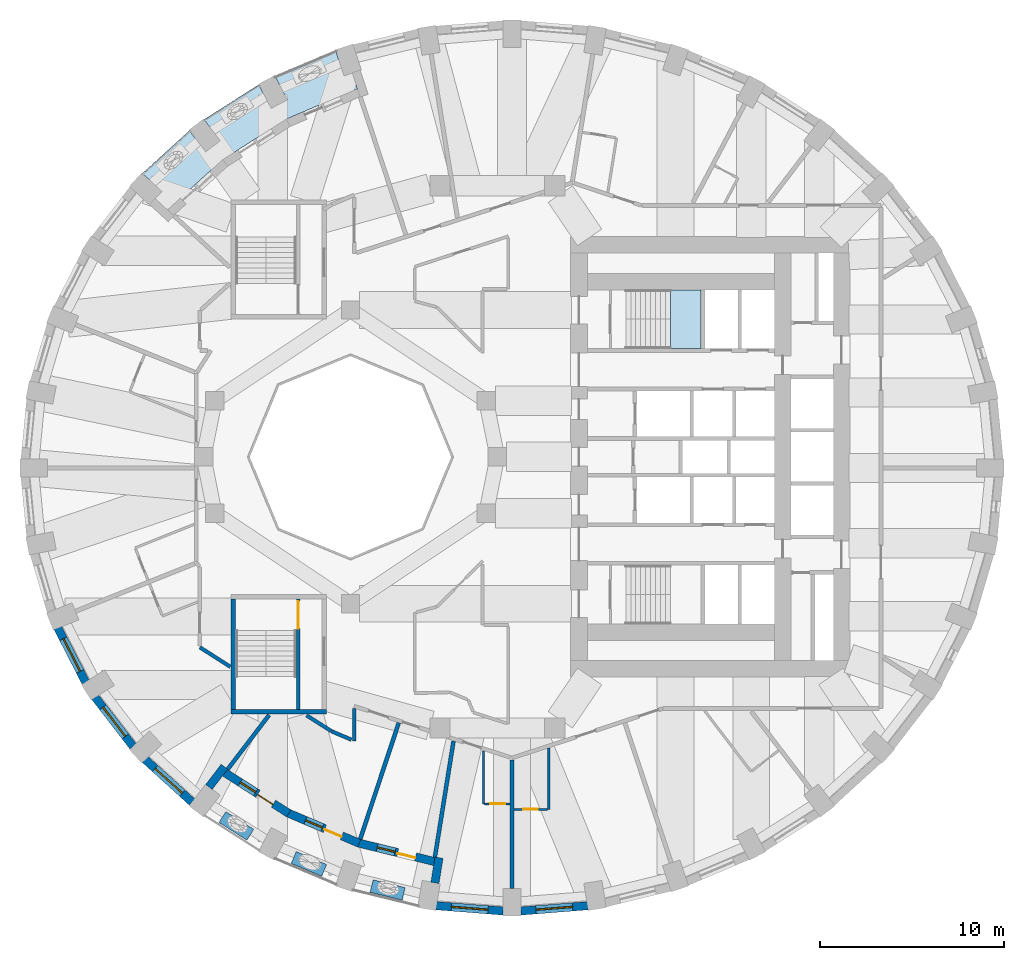
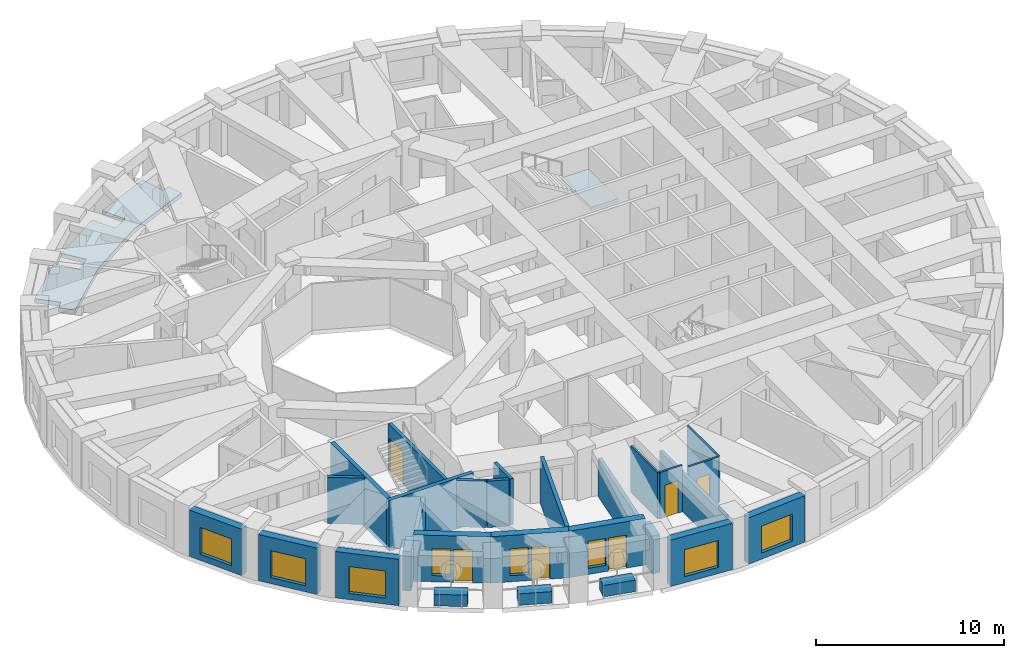
# One storey, part 3 of 12: 28 walls, 8 windows, 6 doors, 2 slabs, 14 openings, 1 element without a shape of its own.
"""IFC4 building model written with IfcOpenShell, lengths in metres."""

from ifc_helpers import new_model, si_unit, direction, frame, frame_2d, origin, place, context, subcontext, project, spatial, polyline, rectangle, outline, extrude, material, layer, layer_set, constituent, constituent_set, type_object, element, fill, aggregate, save


model = new_model("IFC4")

# Units and contexts
model_context = context("Model", 3, precision=1e-05, world=origin(), true_north=direction((0.0, 1.0)))
body_context = subcontext(model_context, "Body", "Model", "MODEL_VIEW")
ifc_project = project(units=[si_unit("LENGTHUNIT", "METRE"), si_unit("AREAUNIT", "SQUARE_METRE"), si_unit("VOLUMEUNIT", "CUBIC_METRE"), si_unit("PLANEANGLEUNIT", "RADIAN"), si_unit("MASSUNIT", "GRAM", prefix="KILO")], contexts=[model_context])

# Site, building, storey
site_placement = place(None, origin())
site = spatial("IfcSite", under=ifc_project, at=site_placement, CompositionType="ELEMENT")
building_placement = place(site_placement, origin())
building = spatial("IfcBuilding", under=site, at=building_placement, Name="Taillehof Tower", CompositionType="ELEMENT")
storey_placement = place(building_placement, frame((0.0, 0.0, 121.89990234375)))
storey = spatial("IfcBuildingStorey", under=building, at=storey_placement, Name="L34", CompositionType="ELEMENT", Elevation=121.89990234375)

# Slab
ifc_material_1 = material(Name="Concrete C40/50", Category="concrete")
ifc_layer_1 = layer(ifc_material_1, 0.280029296875)
ifc_layer_set_1 = layer_set([ifc_layer_1], Name="Balcony slab 280")
slab_type_1 = type_object("IfcSlabType", Name="Balcony slab 280", PredefinedType="USERDEFINED", material=ifc_layer_set_1)
slab_1_placement = place(storey_placement, frame((0.0, 0.0, -0.27978515625)))
element("IfcSlab", 1, at=slab_1_placement, inside=storey, type_object=slab_type_1, Name="Balcony L34 pocket 3", ObjectType="BALCONY", PredefinedType="USERDEFINED", context=body_context, shape_type="SweptSolid", body=[
    extrude(outline(polyline([(-17.965087890625, 13.45751953125), (-18.627685546875, 14.068115234375), (-18.26513671875, 14.46142578125), (-19.3330078125, 15.445556640625), (-16.7724609375, 17.77685546875), (-15.88671875, 16.617431640625), (-15.092041015625, 17.224609375), (-15.974609375, 18.379638671875), (-12.998046875, 20.27734375), (-12.318603515625, 18.985107421875), (-11.433349609375, 19.4501953125), (-12.11083984375, 20.73876953125), (-8.807861328125, 22.14111328125), (-8.348388671875, 20.754638671875), (-7.894287109375, 20.905029296875), (-7.611328125, 20.05029296875), (-11.4833984375, 18.40673828125), (-14.9697265625, 16.184326171875), (-17.965087890625, 13.45751953125)])), origin(), (0.0, 0.0, 1.0), 0.27978515625),
])

# Stair, slab
ifc_material_2 = material(Name="Concrete C40/50", Category="concrete")
stair_type = type_object("IfcStairType", Name="Exit stair half-turn", PredefinedType="HALF_TURN_STAIR", material=ifc_material_2)
stair_placement = place(storey_placement, origin())
stair = element("IfcStair", 2, at=stair_placement, inside=storey, type_object=stair_type, Name="Exit stair S1", PredefinedType="HALF_TURN_STAIR")
ifc_material_3 = material(Name="Concrete C40/50", Category="concrete")
ifc_layer_2 = layer(ifc_material_3, 0.2099609375)
ifc_layer_set_2 = layer_set([ifc_layer_2], Name="Stair landing C40/50 210")
slab_type_2 = type_object("IfcSlabType", Name="Stair landing C40/50 210", PredefinedType="LANDING", material=ifc_layer_set_2)
slab_2_placement = place(storey_placement, frame((0.0, 0.0, 1.440185546875)))
slab_2 = element("IfcSlab", 3, at=slab_2_placement, type_object=slab_type_2, Name="S1 landing 1", PredefinedType="LANDING", context=body_context, shape_type="SweptSolid", body=[
    extrude(outline(polyline([(9.429931640625, 5.89990234375), (11.10009765625, 5.89990234375), (11.10009765625, 9.10009765625), (9.429931640625, 9.10009765625), (9.429931640625, 5.89990234375)])), origin(), (0.0, 0.0, 1.0), 0.2099609375),
])
aggregate(stair, [slab_2])

# Wall, opening, window
ifc_material_4 = material(Name="Brick masonry", Category="masonry")
ifc_layer_3 = layer(ifc_material_4, 0.449951171875)
ifc_layer_set_3 = layer_set([ifc_layer_3], Name="Brick infill wall 450")
wall_type_1 = type_object("IfcWallType", Name="Brick infill wall 450", PredefinedType="SOLIDWALL", material=ifc_layer_set_3)
wall_1_placement = place(storey_placement, frame((-23.9453125, -9.312255859375, 0.0), z_axis=(0.0, 0.0, 1.0), x_axis=(0.456828186229, -0.889554949549, 0.0)))
wall_1 = element("IfcWall", 4, at=wall_1_placement, inside=storey, type_object=wall_type_1, Name="Brick wall L34 bay 21", PredefinedType="SOLIDWALL", context=body_context, shape_type="SweptSolid", body=[
    extrude(rectangle(XDim=3.332763671875, YDim=0.449951171875, at=frame_2d((1.66650390625, 0.0))), origin(), (0.0, 0.0, 1.0), 3.02001953125),
])
opening_1_placement = place(wall_1_placement, frame((0.666259765625, 0.0, 0.39990234375)))
opening_1 = element("IfcOpeningElement", 5, at=opening_1_placement, cuts=wall_1, Name="Opening W2", PredefinedType="OPENING", context=body_context, shape_type="SweptSolid", body=[
    extrude(rectangle(XDim=2.0, YDim=1.75, at=frame_2d((1.0, 0.875))), frame((0.0, 0.23486328125, 0.0), z_axis=(0.0, -1.0, 0.0), x_axis=(1.0, 0.0, 0.0)), (0.0, 0.0, 1.0), 0.469970703125),
])
ifc_material_5 = material(Name="Aluminium window frame with clear double glazing", Category="aluminium")
window_type_1 = type_object("IfcWindowType", Name="Deep-set window 2000x1750", PartitioningType="SINGLE_PANEL", PredefinedType="WINDOW", material=ifc_material_5)
window_1_placement = place(opening_1_placement, origin())
window_1 = element("IfcWindow", 6, at=window_1_placement, inside=storey, type_object=window_type_1, Name="W2", OverallHeight=1.75, OverallWidth=2.0, PartitioningType="SINGLE_PANEL", PredefinedType="WINDOW", context=body_context, shape_type="SweptSolid", body=[
    extrude(rectangle(XDim=2.0, YDim=1.75, at=frame_2d((1.0, 0.875))), frame((0.0, 0.034912109375, 0.0), z_axis=(0.0, -1.0, 0.0), x_axis=(1.0, 0.0, 0.0)), (0.0, 0.0, 1.0), 0.06005859375),
])
fill(opening_1, window_1)

wall_2_placement = place(storey_placement, frame((-21.908203125, -13.08740234375, 0.0), z_axis=(0.0, 0.0, 1.0), x_axis=(0.610693945156, -0.791866721961, 0.0)))
wall_2 = element("IfcWall", 7, at=wall_2_placement, inside=storey, type_object=wall_type_1, Name="Brick wall L34 bay 22", PredefinedType="SOLIDWALL", context=body_context, shape_type="SweptSolid", body=[
    extrude(rectangle(XDim=3.39453125, YDim=0.449951171875, at=frame_2d((1.697265625, 0.0))), origin(), (0.0, 0.0, 1.0), 3.02001953125),
])
opening_2_placement = place(wall_2_placement, frame((0.697265625, 0.0, 0.39990234375)))
opening_2 = element("IfcOpeningElement", 8, at=opening_2_placement, cuts=wall_2, Name="Opening W2", PredefinedType="OPENING", context=body_context, shape_type="SweptSolid", body=[
    extrude(rectangle(XDim=2.0, YDim=1.75, at=frame_2d((1.0, 0.875))), frame((0.0, 0.23486328125, 0.0), z_axis=(0.0, -1.0, 0.0), x_axis=(1.0, 0.0, 0.0)), (0.0, 0.0, 1.0), 0.469970703125),
])
window_2_placement = place(opening_2_placement, origin())
window_2 = element("IfcWindow", 9, at=window_2_placement, inside=storey, type_object=window_type_1, Name="W2", OverallHeight=1.75, OverallWidth=2.0, PartitioningType="SINGLE_PANEL", PredefinedType="WINDOW", context=body_context, shape_type="SweptSolid", body=[
    extrude(rectangle(XDim=2.0, YDim=1.75, at=frame_2d((1.0, 0.875))), frame((0.0, 0.034912109375, 0.0), z_axis=(0.0, -1.0, 0.0), x_axis=(1.0, 0.0, 0.0)), (0.0, 0.0, 1.0), 0.06005859375),
])
fill(opening_2, window_2)

wall_3_placement = place(storey_placement, frame((-19.18408203125, -16.481201171875, 0.0), z_axis=(0.0, 0.0, 1.0), x_axis=(0.740364106106, -0.672206062446, 0.0)))
wall_3 = element("IfcWall", 10, at=wall_3_placement, inside=storey, type_object=wall_type_1, Name="Brick wall L34 bay 23", PredefinedType="SOLIDWALL", context=body_context, shape_type="SweptSolid", body=[
    extrude(rectangle(XDim=3.4638671875, YDim=0.449951171875, at=frame_2d((1.73193359375, 0.0))), origin(), (0.0, 0.0, 1.0), 3.02001953125),
])
opening_3_placement = place(wall_3_placement, frame((0.73193359375, 0.0, 0.39990234375)))
opening_3 = element("IfcOpeningElement", 11, at=opening_3_placement, cuts=wall_3, Name="Opening W2", PredefinedType="OPENING", context=body_context, shape_type="SweptSolid", body=[
    extrude(rectangle(XDim=2.0, YDim=1.75, at=frame_2d((1.0, 0.875))), frame((0.0, 0.23486328125, 0.0), z_axis=(0.0, -1.0, 0.0), x_axis=(1.0, 0.0, 0.0)), (0.0, 0.0, 1.0), 0.469970703125),
])
window_3_placement = place(opening_3_placement, origin())
window_3 = element("IfcWindow", 12, at=window_3_placement, inside=storey, type_object=window_type_1, Name="W2", OverallHeight=1.75, OverallWidth=2.0, PartitioningType="SINGLE_PANEL", PredefinedType="WINDOW", context=body_context, shape_type="SweptSolid", body=[
    extrude(rectangle(XDim=2.0, YDim=1.75, at=frame_2d((1.0, 0.875))), frame((0.0, 0.034912109375, 0.0), z_axis=(0.0, -1.0, 0.0), x_axis=(1.0, 0.0, 0.0)), (0.0, 0.0, 1.0), 0.06005859375),
])
fill(opening_3, window_3)

wall_4_placement = place(storey_placement, frame((-3.32666015625, -24.446533203125, 0.0), z_axis=(0.0, 0.0, 1.0), x_axis=(0.996862216754, -0.079156306178, 0.0)))
wall_4 = element("IfcWall", 13, at=wall_4_placement, inside=storey, type_object=wall_type_1, Name="Brick wall L34 bay 27", PredefinedType="SOLIDWALL", context=body_context, shape_type="SweptSolid", body=[
    extrude(rectangle(XDim=3.657958984375, YDim=0.449951171875, at=frame_2d((1.8291015625, 0.0))), origin(), (0.0, 0.0, 1.0), 3.02001953125),
])
opening_4_placement = place(wall_4_placement, frame((0.8291015625, 0.0, 0.39990234375)))
opening_4 = element("IfcOpeningElement", 14, at=opening_4_placement, cuts=wall_4, Name="Opening W2", PredefinedType="OPENING", context=body_context, shape_type="SweptSolid", body=[
    extrude(rectangle(XDim=2.0, YDim=1.75, at=frame_2d((1.0, 0.875))), frame((0.0, 0.23486328125, 0.0), z_axis=(0.0, -1.0, 0.0), x_axis=(1.0, 0.0, 0.0)), (0.0, 0.0, 1.0), 0.469970703125),
])
window_4_placement = place(opening_4_placement, origin())
window_4 = element("IfcWindow", 15, at=window_4_placement, inside=storey, type_object=window_type_1, Name="W2", OverallHeight=1.75, OverallWidth=2.0, PartitioningType="SINGLE_PANEL", PredefinedType="WINDOW", context=body_context, shape_type="SweptSolid", body=[
    extrude(rectangle(XDim=2.0, YDim=1.75, at=frame_2d((1.0, 0.875))), frame((0.0, 0.034912109375, 0.0), z_axis=(0.0, -1.0, 0.0), x_axis=(1.0, 0.0, 0.0)), (0.0, 0.0, 1.0), 0.06005859375),
])
fill(opening_4, window_4)

wall_5_placement = place(storey_placement, frame((1.280029296875, -24.736083984375, 0.0), z_axis=(0.0, 0.0, 1.0), x_axis=(0.996862216754, 0.079156306178, 0.0)))
wall_5 = element("IfcWall", 16, at=wall_5_placement, inside=storey, type_object=wall_type_1, Name="Brick wall L34 bay 28", PredefinedType="SOLIDWALL", context=body_context, shape_type="SweptSolid", body=[
    extrude(rectangle(XDim=3.657958984375, YDim=0.449951171875, at=frame_2d((1.8291015625, 0.0))), origin(), (0.0, 0.0, 1.0), 3.02001953125),
])
opening_5_placement = place(wall_5_placement, frame((0.8291015625, 0.0, 0.39990234375)))
opening_5 = element("IfcOpeningElement", 17, at=opening_5_placement, cuts=wall_5, Name="Opening W2", PredefinedType="OPENING", context=body_context, shape_type="SweptSolid", body=[
    extrude(rectangle(XDim=2.0, YDim=1.75, at=frame_2d((1.0, 0.875))), frame((0.0, 0.23486328125, 0.0), z_axis=(0.0, -1.0, 0.0), x_axis=(1.0, 0.0, 0.0)), (0.0, 0.0, 1.0), 0.469970703125),
])
window_5_placement = place(opening_5_placement, origin())
window_5 = element("IfcWindow", 18, at=window_5_placement, inside=storey, type_object=window_type_1, Name="W2", OverallHeight=1.75, OverallWidth=2.0, PartitioningType="SINGLE_PANEL", PredefinedType="WINDOW", context=body_context, shape_type="SweptSolid", body=[
    extrude(rectangle(XDim=2.0, YDim=1.75, at=frame_2d((1.0, 0.875))), frame((0.0, 0.034912109375, 0.0), z_axis=(0.0, -1.0, 0.0), x_axis=(1.0, 0.0, 0.0)), (0.0, 0.0, 1.0), 0.06005859375),
])
fill(opening_5, window_5)

# Walls
wall_6_placement = place(storey_placement, frame((-15.70751953125, -17.9794921875, 0.0), z_axis=(0.0, 0.0, 1.0), x_axis=(0.607026495834, 0.794681592435, 0.0)))
element("IfcWall", 19, at=wall_6_placement, inside=storey, type_object=wall_type_1, Name="Brick reveal L34 pocket 7", PredefinedType="SOLIDWALL", context=body_context, shape_type="SweptSolid", body=[
    extrude(rectangle(XDim=1.390869140625, YDim=0.449951171875, at=frame_2d((0.6953125, 0.0))), origin(), (0.0, 0.0, 1.0), 2.570068359375),
])
wall_7_placement = place(storey_placement, frame((-3.39697265625, -23.203857421875, 0.0), z_axis=(0.0, 0.0, 1.0), x_axis=(0.158415168535, 0.987372591466, 0.0)))
element("IfcWall", 20, at=wall_7_placement, inside=storey, type_object=wall_type_1, Name="Brick reveal L34 pocket 7", PredefinedType="SOLIDWALL", context=body_context, shape_type="SweptSolid", body=[
    extrude(rectangle(XDim=1.39013671875, YDim=0.449951171875, at=frame_2d((0.695068359375, 0.0))), origin(), (0.0, 0.0, 1.0), 2.47021484375),
])

# Wall, openings, door, window
wall_8_placement = place(storey_placement, frame((-14.832763671875, -17.204833984375, 0.0), z_axis=(0.0, 0.0, 1.0), x_axis=(0.843255766903, -0.537512522259, 0.0)))
wall_8 = element("IfcWall", 21, at=wall_8_placement, inside=storey, type_object=wall_type_1, Name="Brick wall L34 pocket bay 24", PredefinedType="SOLIDWALL", context=body_context, shape_type="SweptSolid", body=[
    extrude(rectangle(XDim=4.115478515625, YDim=0.449951171875, at=frame_2d((2.0576171875, 0.0))), origin(), (0.0, 0.0, 1.0), 3.02001953125),
])
opening_6_placement = place(wall_8_placement, frame((0.982666015625, 0.0, 0.39990234375)))
opening_6 = element("IfcOpeningElement", 22, at=opening_6_placement, cuts=wall_8, Name="Opening W5", PredefinedType="OPENING", context=body_context, shape_type="SweptSolid", body=[
    extrude(rectangle(XDim=1.0, YDim=1.75, at=frame_2d((0.5, 0.875))), frame((0.0, 0.23486328125, 0.0), z_axis=(0.0, -1.0, 0.0), x_axis=(1.0, 0.0, 0.0)), (0.0, 0.0, 1.0), 0.469970703125),
])
opening_7_placement = place(wall_8_placement, frame((2.132568359375, 0.0, 0.0)))
opening_7 = element("IfcOpeningElement", 23, at=opening_7_placement, cuts=wall_8, Name="Opening D3491", PredefinedType="OPENING", context=body_context, shape_type="SweptSolid", body=[
    extrude(rectangle(XDim=1.0, YDim=2.14990234375, at=frame_2d((0.5, 1.074951171875))), frame((0.0, 0.23486328125, 0.0), z_axis=(0.0, -1.0, 0.0), x_axis=(1.0, 0.0, 0.0)), (0.0, 0.0, 1.0), 0.469970703125),
])
ifc_material_6 = material(Name="Aluminium door frame with clear double glazing", Category="aluminium")
door_type_1 = type_object("IfcDoorType", Name="Balcony door 1000x2150", OperationType="SINGLE_SWING_RIGHT", PredefinedType="DOOR", material=ifc_material_6)
door_1_placement = place(opening_7_placement, frame((1.0, 0.0, 0.0), z_axis=(0.0, 0.0, 1.0), x_axis=(-1.0, 0.0, 0.0)))
door_1 = element("IfcDoor", 24, at=door_1_placement, inside=storey, type_object=door_type_1, Name="Balcony door L34 bay 24", OperationType="SINGLE_SWING_RIGHT", OverallHeight=2.14990234375, OverallWidth=1.0, PredefinedType="DOOR", context=body_context, shape_type="SweptSolid", body=[
    extrude(rectangle(XDim=1.0, YDim=2.14990234375, at=frame_2d((0.5, 1.074951171875))), frame((0.0, 0.0751953125, 0.0), z_axis=(0.0, -1.0, 0.0), x_axis=(1.0, 0.0, 0.0)), (0.0, 0.0, 1.0), 0.050048828125),
])
fill(opening_7, door_1)
ifc_material_7 = material(Name="Aluminium window frame with clear double glazing", Category="aluminium")
window_type_2 = type_object("IfcWindowType", Name="Fixed window 1000x1750", PartitioningType="SINGLE_PANEL", PredefinedType="WINDOW", material=ifc_material_7)
window_6_placement = place(opening_6_placement, origin())
window_6 = element("IfcWindow", 25, at=window_6_placement, inside=storey, type_object=window_type_2, Name="W5", OverallHeight=1.75, OverallWidth=1.0, PartitioningType="SINGLE_PANEL", PredefinedType="WINDOW", context=body_context, shape_type="SweptSolid", body=[
    extrude(rectangle(XDim=1.0, YDim=1.75, at=frame_2d((0.5, 0.875))), frame((0.0, 0.034912109375, 0.0), z_axis=(0.0, -1.0, 0.0), x_axis=(1.0, 0.0, 0.0)), (0.0, 0.0, 1.0), 0.06005859375),
])
fill(opening_6, window_6)

wall_9_placement = place(storey_placement, frame((-11.3955078125, -19.3994140625, 0.0), z_axis=(0.0, 0.0, 1.0), x_axis=(0.920496400713, -0.390751041296, 0.0)))
wall_9 = element("IfcWall", 26, at=wall_9_placement, inside=storey, type_object=wall_type_1, Name="Brick wall L34 pocket bay 25", PredefinedType="SOLIDWALL", context=body_context, shape_type="SweptSolid", body=[
    extrude(rectangle(XDim=4.206787109375, YDim=0.449951171875, at=frame_2d((2.103515625, 0.0))), origin(), (0.0, 0.0, 1.0), 3.02001953125),
])
opening_8_placement = place(wall_9_placement, frame((1.0283203125, 0.0, 0.39990234375)))
opening_8 = element("IfcOpeningElement", 27, at=opening_8_placement, cuts=wall_9, Name="Opening W5", PredefinedType="OPENING", context=body_context, shape_type="SweptSolid", body=[
    extrude(rectangle(XDim=1.0, YDim=1.75, at=frame_2d((0.5, 0.875))), frame((0.0, 0.23486328125, 0.0), z_axis=(0.0, -1.0, 0.0), x_axis=(1.0, 0.0, 0.0)), (0.0, 0.0, 1.0), 0.469970703125),
])
opening_9_placement = place(wall_9_placement, frame((2.17822265625, 0.0, 0.0)))
opening_9 = element("IfcOpeningElement", 28, at=opening_9_placement, cuts=wall_9, Name="Opening D3492", PredefinedType="OPENING", context=body_context, shape_type="SweptSolid", body=[
    extrude(rectangle(XDim=1.0, YDim=2.14990234375, at=frame_2d((0.5, 1.074951171875))), frame((0.0, 0.23486328125, 0.0), z_axis=(0.0, -1.0, 0.0), x_axis=(1.0, 0.0, 0.0)), (0.0, 0.0, 1.0), 0.469970703125),
])
door_2_placement = place(opening_9_placement, frame((1.0, 0.0, 0.0), z_axis=(0.0, 0.0, 1.0), x_axis=(-1.0, 0.0, 0.0)))
door_2 = element("IfcDoor", 29, at=door_2_placement, inside=storey, type_object=door_type_1, Name="Balcony door L34 bay 25", OperationType="SINGLE_SWING_LEFT", OverallHeight=2.14990234375, OverallWidth=1.0, PredefinedType="DOOR", context=body_context, shape_type="SweptSolid", body=[
    extrude(rectangle(XDim=1.0, YDim=2.14990234375, at=frame_2d((0.5, 1.074951171875))), frame((0.0, 0.0751953125, 0.0), z_axis=(0.0, -1.0, 0.0), x_axis=(1.0, 0.0, 0.0)), (0.0, 0.0, 1.0), 0.050048828125),
])
fill(opening_9, door_2)
window_7_placement = place(opening_8_placement, origin())
window_7 = element("IfcWindow", 30, at=window_7_placement, inside=storey, type_object=window_type_2, Name="W5", OverallHeight=1.75, OverallWidth=1.0, PartitioningType="SINGLE_PANEL", PredefinedType="WINDOW", context=body_context, shape_type="SweptSolid", body=[
    extrude(rectangle(XDim=1.0, YDim=1.75, at=frame_2d((0.5, 0.875))), frame((0.0, 0.034912109375, 0.0), z_axis=(0.0, -1.0, 0.0), x_axis=(1.0, 0.0, 0.0)), (0.0, 0.0, 1.0), 0.06005859375),
])
fill(opening_8, window_7)

wall_10_placement = place(storey_placement, frame((-7.557861328125, -21.03173828125, 0.0), z_axis=(0.0, 0.0, 1.0), x_axis=(0.971511611373, -0.23699195971, 0.0)))
wall_10 = element("IfcWall", 31, at=wall_10_placement, inside=storey, type_object=wall_type_1, Name="Brick wall L34 pocket bay 26", PredefinedType="SOLIDWALL", context=body_context, shape_type="SweptSolid", body=[
    extrude(rectangle(XDim=4.2412109375, YDim=0.449951171875, at=frame_2d((2.12060546875, 0.0))), origin(), (0.0, 0.0, 1.0), 3.02001953125),
])
opening_10_placement = place(wall_10_placement, frame((1.045654296875, 0.0, 0.39990234375)))
opening_10 = element("IfcOpeningElement", 32, at=opening_10_placement, cuts=wall_10, Name="Opening W5", PredefinedType="OPENING", context=body_context, shape_type="SweptSolid", body=[
    extrude(rectangle(XDim=1.0, YDim=1.75, at=frame_2d((0.5, 0.875))), frame((0.0, 0.23486328125, 0.0), z_axis=(0.0, -1.0, 0.0), x_axis=(1.0, 0.0, 0.0)), (0.0, 0.0, 1.0), 0.469970703125),
])
opening_11_placement = place(wall_10_placement, frame((2.195556640625, 0.0, 0.0)))
opening_11 = element("IfcOpeningElement", 33, at=opening_11_placement, cuts=wall_10, Name="Opening D3493", PredefinedType="OPENING", context=body_context, shape_type="SweptSolid", body=[
    extrude(rectangle(XDim=1.0, YDim=2.14990234375, at=frame_2d((0.5, 1.074951171875))), frame((0.0, 0.23486328125, 0.0), z_axis=(0.0, -1.0, 0.0), x_axis=(1.0, 0.0, 0.0)), (0.0, 0.0, 1.0), 0.469970703125),
])
door_3_placement = place(opening_11_placement, frame((1.0, 0.0, 0.0), z_axis=(0.0, 0.0, 1.0), x_axis=(-1.0, 0.0, 0.0)))
door_3 = element("IfcDoor", 34, at=door_3_placement, inside=storey, type_object=door_type_1, Name="Balcony door L34 bay 26", OperationType="SINGLE_SWING_LEFT", OverallHeight=2.14990234375, OverallWidth=1.0, PredefinedType="DOOR", context=body_context, shape_type="SweptSolid", body=[
    extrude(rectangle(XDim=1.0, YDim=2.14990234375, at=frame_2d((0.5, 1.074951171875))), frame((0.0, 0.0751953125, 0.0), z_axis=(0.0, -1.0, 0.0), x_axis=(1.0, 0.0, 0.0)), (0.0, 0.0, 1.0), 0.050048828125),
])
fill(opening_11, door_3)
window_8_placement = place(opening_10_placement, origin())
window_8 = element("IfcWindow", 35, at=window_8_placement, inside=storey, type_object=window_type_2, Name="W5", OverallHeight=1.75, OverallWidth=1.0, PartitioningType="SINGLE_PANEL", PredefinedType="WINDOW", context=body_context, shape_type="SweptSolid", body=[
    extrude(rectangle(XDim=1.0, YDim=1.75, at=frame_2d((0.5, 0.875))), frame((0.0, 0.034912109375, 0.0), z_axis=(0.0, -1.0, 0.0), x_axis=(1.0, 0.0, 0.0)), (0.0, 0.0, 1.0), 0.06005859375),
])
fill(opening_10, window_8)

# Walls
ifc_material_8 = material(Name="Gypsum board on steel studs, two layers each side", Category="steel")
ifc_layer_4 = layer(ifc_material_8, 0.199951171875)
ifc_layer_set_4 = layer_set([ifc_layer_4], Name="Compartment wall corridor 200")
wall_type_2 = type_object("IfcWallType", Name="Compartment wall corridor 200", PredefinedType="PARTITIONING", material=ifc_layer_set_4)
wall_11_placement = place(storey_placement, frame((-14.544921875, -11.42919921875, 0.0), z_axis=(0.0, 0.0, 1.0), x_axis=(-0.843261732334, 0.537503163507, 0.0)))
element("IfcWall", 36, at=wall_11_placement, inside=storey, type_object=wall_type_2, Name="Compartment wall", PredefinedType="PARTITIONING", context=body_context, shape_type="SweptSolid", body=[
    extrude(rectangle(XDim=1.962646484375, YDim=0.199951171875, at=frame_2d((0.9814453125, 0.0))), origin(), (0.0, 0.0, 1.0), 3.02001953125),
])
wall_12_placement = place(storey_placement, frame((-7.800048828125, -13.716064453125, 0.0), z_axis=(0.0, 0.0, 1.0), x_axis=(0.0, -1.0, 0.0)))
element("IfcWall", 37, at=wall_12_placement, inside=storey, type_object=wall_type_2, Name="Compartment wall", PredefinedType="PARTITIONING", context=body_context, shape_type="SweptSolid", body=[
    extrude(rectangle(XDim=1.750732421875, YDim=0.199951171875, at=frame_2d((0.87548828125, 0.0))), origin(), (0.0, 0.0, 1.0), 3.02001953125),
])
wall_13_placement = place(storey_placement, frame((-7.946533203125, -15.404296875, 0.0), z_axis=(0.0, 0.0, 1.0), x_axis=(-0.920608906038, 0.390485905153, 0.0)))
element("IfcWall", 38, at=wall_13_placement, inside=storey, type_object=wall_type_2, Name="Compartment wall", PredefinedType="PARTITIONING", context=body_context, shape_type="SweptSolid", body=[
    extrude(rectangle(XDim=1.1767578125, YDim=0.199951171875, at=frame_2d((0.58837890625, 0.0))), origin(), (0.0, 0.0, 1.0), 3.02001953125),
])
wall_14_placement = place(storey_placement, frame((-9.046630859375, -14.93408203125, 0.0), z_axis=(0.0, 0.0, 1.0), x_axis=(-0.843232404468, 0.537549171755, 0.0)))
element("IfcWall", 39, at=wall_14_placement, inside=storey, type_object=wall_type_2, Name="Compartment wall", PredefinedType="PARTITIONING", context=body_context, shape_type="SweptSolid", body=[
    extrude(rectangle(XDim=1.59423828125, YDim=0.199951171875, at=frame_2d((0.797119140625, 0.0))), origin(), (0.0, 0.0, 1.0), 3.02001953125),
])
ifc_material_9 = material(Name="Gypsum board on double steel studs with mineral wool", Category="steel")
ifc_layer_5 = layer(ifc_material_9, 0.219970703125)
ifc_layer_set_5 = layer_set([ifc_layer_5], Name="Compartment wall guest room 220")
wall_type_3 = type_object("IfcWallType", Name="Compartment wall guest room 220", PredefinedType="PARTITIONING", material=ifc_layer_set_5)
wall_15_placement = place(storey_placement, frame((-14.695556640625, -17.025390625, 0.0), z_axis=(0.0, 0.0, 1.0), x_axis=(0.607059278405, 0.794656550028, 0.0)))
element("IfcWall", 40, at=wall_15_placement, inside=storey, type_object=wall_type_3, Name="Compartment wall", PredefinedType="PARTITIONING", context=body_context, shape_type="SweptSolid", body=[
    extrude(rectangle(XDim=3.733642578125, YDim=0.219970703125, at=frame_2d((1.86669921875, 0.0))), origin(), (0.0, 0.0, 1.0), 2.570068359375),
])
wall_16_placement = place(storey_placement, frame((-7.46923828125, -20.82177734375, 0.0), z_axis=(0.0, 0.0, 1.0), x_axis=(0.314560923857, 0.949237286026, 0.0)))
element("IfcWall", 41, at=wall_16_placement, inside=storey, type_object=wall_type_3, Name="Compartment wall", PredefinedType="PARTITIONING", context=body_context, shape_type="SweptSolid", body=[
    extrude(rectangle(XDim=6.680908203125, YDim=0.219970703125, at=frame_2d((3.34033203125, 0.0))), origin(), (0.0, 0.0, 1.0), 3.02001953125),
])
wall_17_placement = place(storey_placement, frame((-3.40185546875, -21.81396484375, 0.0), z_axis=(0.0, 0.0, 1.0), x_axis=(0.158514453841, 0.987356656899, 0.0)))
element("IfcWall", 42, at=wall_17_placement, inside=storey, type_object=wall_type_3, Name="Compartment wall", PredefinedType="PARTITIONING", context=body_context, shape_type="SweptSolid", body=[
    extrude(rectangle(XDim=6.414794921875, YDim=0.219970703125, at=frame_2d((3.20751953125, 0.0))), origin(), (0.0, 0.0, 1.0), 2.47021484375),
])
wall_18_placement = place(storey_placement, frame((0.800048828125, -23.5, 0.0), z_axis=(0.0, 0.0, 1.0), x_axis=(0.0, 1.0, 0.0)))
element("IfcWall", 43, at=wall_18_placement, inside=storey, type_object=wall_type_3, Name="Compartment wall", PredefinedType="PARTITIONING", context=body_context, shape_type="SweptSolid", body=[
    extrude(rectangle(XDim=7.0, YDim=0.219970703125, at=frame_2d((3.5, 0.0))), origin(), (0.0, 0.0, 1.0), 2.47021484375),
])
ifc_material_10 = material(Name="Gypsum board on steel studs, moisture resistant", Category="steel")
ifc_layer_6 = layer(ifc_material_10, 0.1201171875)
ifc_layer_set_6 = layer_set([ifc_layer_6], Name="En-suite wall 120")
wall_type_4 = type_object("IfcWallType", Name="En-suite wall 120", PredefinedType="PARTITIONING", material=ifc_layer_set_6)
wall_19_placement = place(storey_placement, frame((-0.75, -16.01611328125, 0.0), z_axis=(0.0, 0.0, 1.0), x_axis=(0.0, -1.0, 0.0)))
element("IfcWall", 44, at=wall_19_placement, inside=storey, type_object=wall_type_4, Name="En-suite wall", PredefinedType="PARTITIONING", context=body_context, shape_type="SweptSolid", body=[
    extrude(rectangle(XDim=2.8837890625, YDim=0.1201171875, at=frame_2d((1.44189453125, 0.0))), origin(), (0.0, 0.0, 1.0), 3.02001953125),
])
wall_20_placement = place(storey_placement, frame((2.800048828125, -15.868408203125, 0.0), z_axis=(0.0, 0.0, 1.0), x_axis=(0.0, -1.0, 0.0)))
element("IfcWall", 45, at=wall_20_placement, inside=storey, type_object=wall_type_4, Name="En-suite wall", PredefinedType="PARTITIONING", context=body_context, shape_type="SweptSolid", body=[
    extrude(rectangle(XDim=3.33154296875, YDim=0.1201171875, at=frame_2d((1.665771484375, 0.0))), origin(), (0.0, 0.0, 1.0), 3.02001953125),
])

# Wall, opening, door
wall_21_placement = place(storey_placement, frame((-0.68994140625, -18.89990234375, 0.0), z_axis=(0.0, 0.0, 1.0), x_axis=(1.0, 0.0, 0.0)))
wall_21 = element("IfcWall", 46, at=wall_21_placement, inside=storey, type_object=wall_type_4, Name="En-suite wall", PredefinedType="PARTITIONING", context=body_context, shape_type="SweptSolid", body=[
    extrude(rectangle(XDim=1.3798828125, YDim=0.1201171875, at=frame_2d((0.68994140625, 0.0))), origin(), (0.0, 0.0, 1.0), 3.02001953125),
])
opening_12_placement = place(wall_21_placement, frame((0.31494140625, 0.0, 0.0)))
opening_12 = element("IfcOpeningElement", 47, at=opening_12_placement, cuts=wall_21, Name="Opening D3457", PredefinedType="OPENING", context=body_context, shape_type="SweptSolid", body=[
    extrude(rectangle(XDim=0.800048828125, YDim=2.10009765625, at=frame_2d((0.39990234375, 1.050048828125))), frame((0.0, 0.070068359375, 0.0), z_axis=(0.0, -1.0, 0.0), x_axis=(1.0, 0.0, 0.0)), (0.0, 0.0, 1.0), 0.14013671875),
])
ifc_material_11 = material(Name="Timber door leaf in steel frame", Category="steel")
door_type_2 = type_object("IfcDoorType", Name="En-suite door 800 x 2100", OperationType="SINGLE_SWING_LEFT", PredefinedType="DOOR", material=ifc_material_11)
door_4_placement = place(opening_12_placement, origin())
door_4 = element("IfcDoor", 48, at=door_4_placement, inside=storey, type_object=door_type_2, Name="D3457", OperationType="SINGLE_SWING_LEFT", OverallHeight=2.10009765625, OverallWidth=0.800048828125, PredefinedType="DOOR", context=body_context, shape_type="SweptSolid", body=[
    extrude(rectangle(XDim=0.800048828125, YDim=2.10009765625, at=frame_2d((0.39990234375, 1.050048828125))), frame((0.0, 0.02490234375, 0.0), z_axis=(0.0, -1.0, 0.0), x_axis=(1.0, 0.0, 0.0)), (0.0, 0.0, 1.0), 0.050048828125),
])
fill(opening_12, door_4)

wall_22_placement = place(storey_placement, frame((2.739990234375, -19.199951171875, 0.0), z_axis=(0.0, 0.0, 1.0), x_axis=(-1.0, 0.0, 0.0)))
wall_22 = element("IfcWall", 49, at=wall_22_placement, inside=storey, type_object=wall_type_4, Name="En-suite wall", PredefinedType="PARTITIONING", context=body_context, shape_type="SweptSolid", body=[
    extrude(rectangle(XDim=1.829833984375, YDim=0.1201171875, at=frame_2d((0.9150390625, 0.0))), origin(), (0.0, 0.0, 1.0), 3.02001953125),
])
opening_13_placement = place(wall_22_placement, frame((0.5400390625, 0.0, 0.0)))
opening_13 = element("IfcOpeningElement", 50, at=opening_13_placement, cuts=wall_22, Name="Opening D3459", PredefinedType="OPENING", context=body_context, shape_type="SweptSolid", body=[
    extrude(rectangle(XDim=0.800048828125, YDim=2.10009765625, at=frame_2d((0.39990234375, 1.050048828125))), frame((0.0, 0.070068359375, 0.0), z_axis=(0.0, -1.0, 0.0), x_axis=(1.0, 0.0, 0.0)), (0.0, 0.0, 1.0), 0.14013671875),
])
door_5_placement = place(opening_13_placement, origin())
door_5 = element("IfcDoor", 51, at=door_5_placement, inside=storey, type_object=door_type_2, Name="D3459", OperationType="SINGLE_SWING_RIGHT", OverallHeight=2.10009765625, OverallWidth=0.800048828125, PredefinedType="DOOR", context=body_context, shape_type="SweptSolid", body=[
    extrude(rectangle(XDim=0.800048828125, YDim=2.10009765625, at=frame_2d((0.39990234375, 1.050048828125))), frame((0.0, 0.02490234375, 0.0), z_axis=(0.0, -1.0, 0.0), x_axis=(1.0, 0.0, 0.0)), (0.0, 0.0, 1.0), 0.050048828125),
])
fill(opening_13, door_5)

# Walls
ifc_material_12 = material(Name="Concrete C30/37 precast", Category="concrete")
ifc_constituent_1 = constituent(ifc_material_12, Name="Structure", Category="concrete")
ifc_material_13 = material(Name="Insulated lining")
ifc_constituent_2 = constituent(ifc_material_13, Name="Lining")
ifc_constituent_set = constituent_set(constituents=[ifc_constituent_1, ifc_constituent_2], Name="Planter trough 700x750")
wall_type_5 = type_object("IfcWallType", Name="Planter trough 700x750", PredefinedType="USERDEFINED", material=ifc_constituent_set)
for number, where, z_axis, x_axis, name in (
    (52, (-14.97265625, -19.615966796875, 0.0), (0.0, 0.0, 1.0), (0.843873638802, -0.536541966425, 0.0), "Planter L34 bay 24"),
    (53, (-11.089599609375, -21.820068359375, 0.0), (0.0, 0.0, 1.0), (0.920903594752, -0.389790416984, 0.0), "Planter L34 bay 25"),
    (54, (-6.847900390625, -23.375244140625, 0.0), (0.0, 0.0, 1.0), (0.971654974133, -0.23640349245, 0.0), "Planter L34 bay 26"),
):
    element("IfcWall", number, at=place(storey_placement, frame(where, z_axis=z_axis, x_axis=x_axis)), inside=storey, type_object=wall_type_5, Name=name, ObjectType="PLANTER", PredefinedType="USERDEFINED", context=body_context, shape_type="SweptSolid", body=[
        extrude(rectangle(XDim=1.800048828125, YDim=0.699951171875, at=frame_2d((0.89990234375, 0.0))), origin(), (0.0, 0.0, 1.0), 0.75),
    ])

# Wall, opening, door
ifc_material_14 = material(Name="Concrete C50/60", Category="concrete")
ifc_layer_7 = layer(ifc_material_14, 0.199951171875)
ifc_layer_set_7 = layer_set([ifc_layer_7], Name="Shaft wall C50/60 200")
wall_type_6 = type_object("IfcWallType", Name="Shaft wall C50/60 200", PredefinedType="SHEAR", material=ifc_layer_set_7)
wall_23_placement = place(storey_placement, frame((-10.85009765625, -13.75, 0.0), z_axis=(0.0, 0.0, 1.0), x_axis=(0.0, 1.0, 0.0)))
wall_23 = element("IfcWall", 55, at=wall_23_placement, inside=storey, type_object=wall_type_6, Name="Shaft wall SW", PredefinedType="SHEAR", context=body_context, shape_type="SweptSolid", body=[
    extrude(rectangle(XDim=6.0, YDim=0.199951171875, at=frame_2d((3.0, 0.0))), origin(), (0.0, 0.0, 1.0), 3.02001953125),
])
opening_14_placement = place(wall_23_placement, frame((4.39990234375, 0.0, 0.0)))
opening_14 = element("IfcOpeningElement", 56, at=opening_14_placement, cuts=wall_23, Name="Opening D3413", PredefinedType="OPENING", context=body_context, shape_type="SweptSolid", body=[
    extrude(rectangle(XDim=1.5, YDim=2.10009765625, at=frame_2d((0.75, 1.050048828125))), frame((0.0, 0.10986328125, 0.0), z_axis=(0.0, -1.0, 0.0), x_axis=(1.0, 0.0, 0.0)), (0.0, 0.0, 1.0), 0.219970703125),
])
ifc_material_15 = material(Name="Steel-faced fire door", Category="steel")
door_type_3 = type_object("IfcDoorType", Name="Stair door 1500x2100", OperationType="DOUBLE_DOOR_SINGLE_SWING", PredefinedType="DOOR", material=ifc_material_15)
door_6_placement = place(opening_14_placement, origin())
door_6 = element("IfcDoor", 57, at=door_6_placement, inside=storey, type_object=door_type_3, Name="Stair lobby door S4", OperationType="DOUBLE_DOOR_SINGLE_SWING", OverallHeight=2.10009765625, OverallWidth=1.5, PredefinedType="DOOR", context=body_context, shape_type="SweptSolid", body=[
    extrude(rectangle(XDim=1.5, YDim=2.10009765625, at=frame_2d((0.75, 1.050048828125))), frame((0.0, 0.02490234375, 0.0), z_axis=(0.0, -1.0, 0.0), x_axis=(1.0, 0.0, 0.0)), (0.0, 0.0, 1.0), 0.050048828125),
])
fill(opening_14, door_6)

# Walls
ifc_material_16 = material(Name="Concrete C50/60", Category="concrete")
ifc_layer_8 = layer(ifc_material_16, 0.25)
ifc_layer_set_8 = layer_set([ifc_layer_8], Name="Stair wall C50/60 250")
wall_type_7 = type_object("IfcWallType", Name="Stair wall C50/60 250", PredefinedType="SHEAR", material=ifc_layer_set_8)
wall_24_placement = place(storey_placement, frame((-14.375, -13.75, -0.27978515625), z_axis=(0.0, 0.0, 1.0), x_axis=(0.0, 1.0, 0.0)))
element("IfcWall", 58, at=wall_24_placement, inside=storey, type_object=wall_type_7, Name="Stair wall SC", PredefinedType="SHEAR", context=body_context, shape_type="SweptSolid", body=[
    extrude(rectangle(XDim=6.0, YDim=0.25, at=frame_2d((3.0, 0.0))), origin(), (0.0, 0.0, 1.0), 3.2998046875),
])
wall_25_placement = place(storey_placement, frame((-14.5, -13.875, -0.27978515625), z_axis=(0.0, 0.0, 1.0), x_axis=(1.0, 0.0, 0.0)))
element("IfcWall", 59, at=wall_25_placement, inside=storey, type_object=wall_type_7, Name="Stair wall SC", PredefinedType="SHEAR", context=body_context, shape_type="SweptSolid", body=[
    extrude(rectangle(XDim=5.199951171875, YDim=0.25, at=frame_2d((2.60009765625, 0.0))), origin(), (0.0, 0.0, 1.0), 3.2998046875),
])

save(model, "model.ifc")
